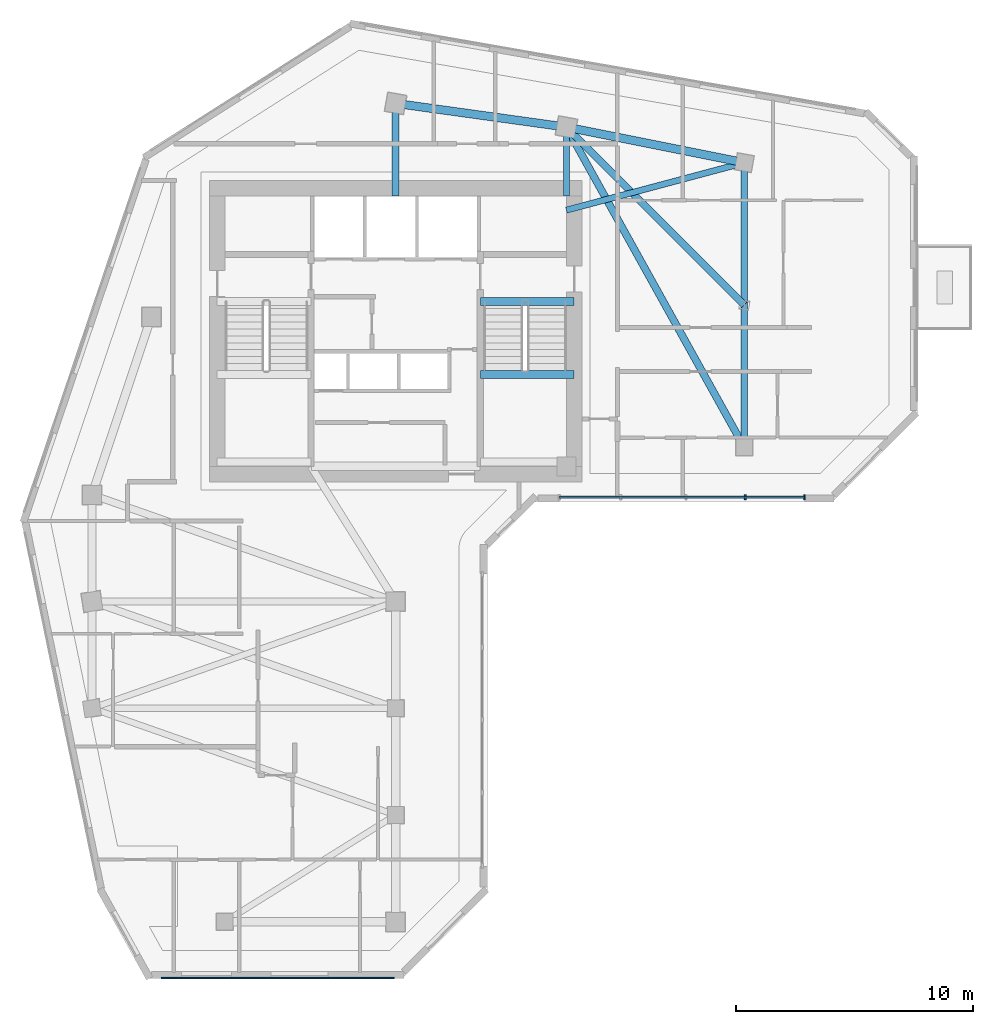
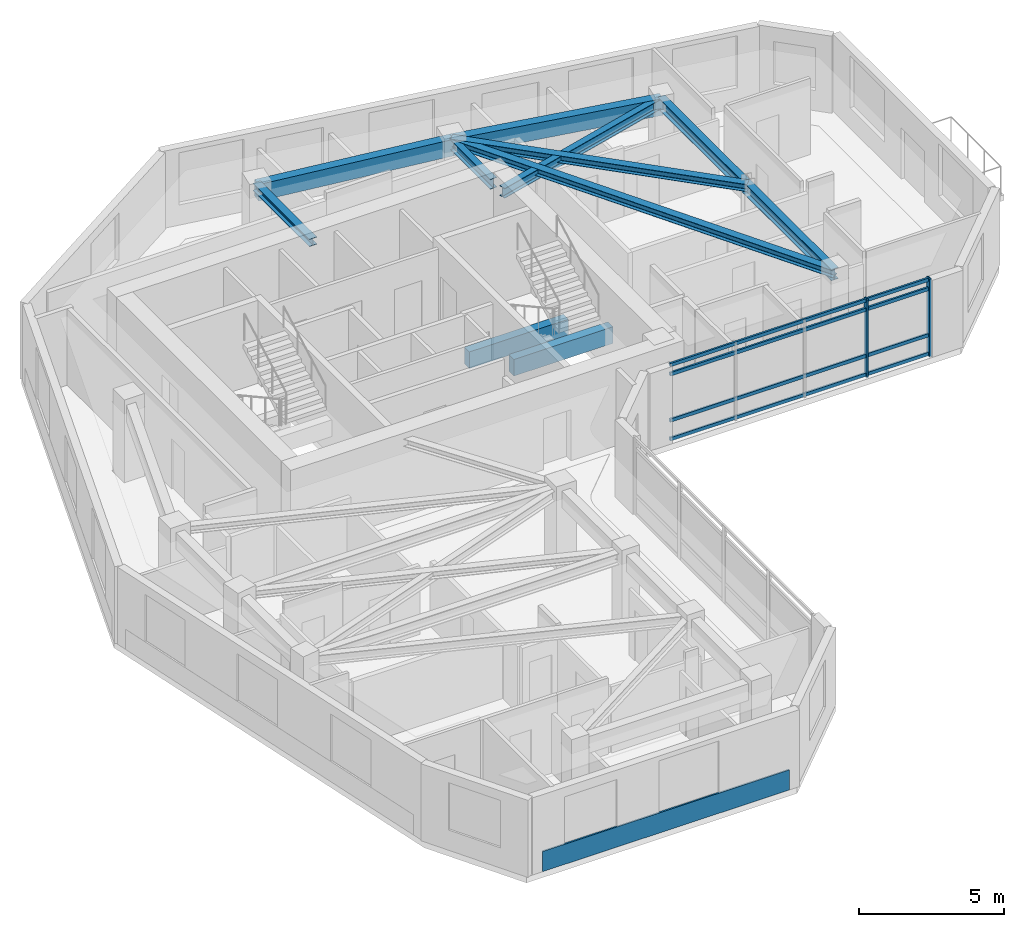
# One storey, part 2 of 10: 10 beams, 6 members, 1 plate, 1 element without a shape of its own.
"""IFC4 building model written with IfcOpenShell, lengths in metres."""

from ifc_helpers import new_model, si_unit, direction, frame, frame_2d, origin, origin_2d, place, context, subcontext, project, spatial, rectangle, i_section, extrude, source, transform, mapped, material, layer, layer_set, material_profile, profile_set, type_object, element, aggregate, save


model = new_model("IFC4")

# Units and contexts
model_context = context("Model", 3, precision=1e-05, world=origin(), true_north=direction((0.0, 1.0)))
body_context = subcontext(model_context, "Body", "Model", "MODEL_VIEW")
ifc_project = project(units=[si_unit("LENGTHUNIT", "METRE"), si_unit("AREAUNIT", "SQUARE_METRE"), si_unit("VOLUMEUNIT", "CUBIC_METRE"), si_unit("PLANEANGLEUNIT", "RADIAN"), si_unit("MASSUNIT", "GRAM", prefix="KILO")], contexts=[model_context])

# Site, building, storey
site_placement = place(None, origin())
site = spatial("IfcSite", under=ifc_project, at=site_placement, CompositionType="ELEMENT")
building_placement = place(site_placement, origin())
building = spatial("IfcBuilding", under=site, at=building_placement, Name="Calvemar Wedge Station Tower", CompositionType="ELEMENT")
storey_placement = place(building_placement, frame((0.0, 0.0, 221.89990234375)))
storey = spatial("IfcBuildingStorey", under=building, at=storey_placement, Name="L56", CompositionType="ELEMENT", Elevation=221.89990234375)

# Beams
ifc_material_1 = material(Name="Structural steel ASTM A572 Grade 50", Category="steel")
ifc_material_profile_1 = material_profile(ifc_material_1, i_section(OverallWidth=0.304931640625, OverallDepth=0.30810546875, WebThickness=0.010009765625, FlangeThickness=0.015380859375, FilletRadius=0.014892578125, at=origin_2d()), Name="W310x97")
ifc_profile_set_1 = profile_set([ifc_material_profile_1], Name="Structural steel ASTM A572 Grade 50")
beam_type_1 = type_object("IfcBeamType", Name="BM-J6-W310", PredefinedType="JOIST", material=ifc_profile_set_1)
shared_shape_1 = source(origin(), body_context, "Body", "SweptSolid", [
    extrude(i_section(OverallWidth=0.304931640625, OverallDepth=0.30810546875, WebThickness=0.010009765625, FlangeThickness=0.015380859375, FilletRadius=0.014892578125, at=origin_2d()), origin(), (0.0, 0.0, 1.0), 15.443359375),
])
beam_1_placement = place(storey_placement, frame((31.0, 48.5, 3.09619140625), z_axis=(0.485642931179, -0.874157276122, 0.0), x_axis=(0.874157276122, 0.485642931179, 0.0)))
element("IfcBeam", 1, at=beam_1_placement, inside=storey, type_object=beam_type_1, Name="Storey L56 Floor Beam T-N2-T-NL2", PredefinedType="JOIST", context=body_context, shape_type="MappedRepresentation", body=[
    mapped(shared_shape_1, transform((0.0, 0.0, 0.0), scale=1.0)),
])
ifc_material_profile_2 = material_profile(ifc_material_1, i_section(OverallWidth=0.260986328125, OverallDepth=0.419921875, WebThickness=0.01171875, FlangeThickness=0.019287109375, FilletRadius=0.012939453125, at=origin_2d()), Name="W410x114")
ifc_profile_set_2 = profile_set([ifc_material_profile_2], Name="Structural steel ASTM A572 Grade 50")
beam_type_2 = type_object("IfcBeamType", Name="BM-J2-W410H", PredefinedType="JOIST", material=ifc_profile_set_2)
shared_shape_2 = source(origin(), body_context, "Body", "SweptSolid", [
    extrude(i_section(OverallWidth=0.260986328125, OverallDepth=0.419921875, WebThickness=0.01171875, FlangeThickness=0.019287109375, FilletRadius=0.012939453125, at=origin_2d()), origin(), (0.0, 0.0, 1.0), 7.76220703125),
])
beam_2_placement = place(storey_placement, frame((31.0, 45.0, 3.0400390625), z_axis=(0.966234939601, 0.25766265056, 0.0), x_axis=(-0.25766265056, 0.966234939601, 0.0)))
element("IfcBeam", 2, at=beam_2_placement, inside=storey, type_object=beam_type_2, Name="Storey L56 Core-to-Column Joist CJ-E2", PredefinedType="JOIST", context=body_context, shape_type="MappedRepresentation", body=[
    mapped(shared_shape_2, transform((0.0, 0.0, 0.0), scale=1.0)),
])
shared_shape_3 = source(origin(), body_context, "Body", "SweptSolid", [
    extrude(i_section(OverallWidth=0.304931640625, OverallDepth=0.30810546875, WebThickness=0.010009765625, FlangeThickness=0.015380859375, FilletRadius=0.014892578125, at=origin_2d()), origin(), (0.0, 0.0, 1.0), 3.89990234375),
])
beam_3_placement = place(storey_placement, frame((23.800048828125, 45.60009765625, 3.09619140625), z_axis=(0.0, 1.0, 0.0), x_axis=(-1.0, 0.0, 0.0)))
element("IfcBeam", 3, at=beam_3_placement, inside=storey, type_object=beam_type_1, Name="Storey L56 Core-to-Column Joist CJ-N1", PredefinedType="JOIST", context=body_context, shape_type="MappedRepresentation", body=[
    mapped(shared_shape_3, transform((0.0, 0.0, 0.0), scale=1.0)),
])
shared_shape_4 = source(origin(), body_context, "Body", "SweptSolid", [
    extrude(i_section(OverallWidth=0.260986328125, OverallDepth=0.419921875, WebThickness=0.01171875, FlangeThickness=0.019287109375, FilletRadius=0.012939453125, at=origin_2d()), origin(), (0.0, 0.0, 1.0), 2.89990234375),
])
beam_4_placement = place(storey_placement, frame((31.0, 45.60009765625, 3.0400390625), z_axis=(0.0, 1.0, 0.0), x_axis=(-1.0, 0.0, 0.0)))
element("IfcBeam", 4, at=beam_4_placement, inside=storey, type_object=beam_type_2, Name="Storey L56 Core-to-Column Joist CJ-N2", PredefinedType="JOIST", context=body_context, shape_type="MappedRepresentation", body=[
    mapped(shared_shape_4, transform((0.0, 0.0, 0.0), scale=1.0)),
])
shared_shape_5 = source(origin(), body_context, "Body", "SweptSolid", [
    extrude(i_section(OverallWidth=0.304931640625, OverallDepth=0.30810546875, WebThickness=0.010009765625, FlangeThickness=0.015380859375, FilletRadius=0.014892578125, at=origin_2d()), origin(), (0.0, 0.0, 1.0), 10.606689453125),
])
beam_5_placement = place(storey_placement, frame((38.5, 41.0, 3.09619140625), z_axis=(-0.707106781187, 0.707106781187, 0.0), x_axis=(-0.707106781187, -0.707106781187, 0.0)))
element("IfcBeam", 5, at=beam_5_placement, inside=storey, type_object=beam_type_1, Name="Storey L56 Floor Beam T-NTIP-B-T-N2", PredefinedType="JOIST", context=body_context, shape_type="MappedRepresentation", body=[
    mapped(shared_shape_5, transform((0.0, 0.0, 0.0), scale=1.0)),
])
ifc_material_2 = material(Name="Concrete C70", Category="concrete")
ifc_material_profile_3 = material_profile(ifc_material_2, rectangle(XDim=0.35009765625, YDim=0.699951171875, at=origin_2d()), Name="RC350x700")
ifc_profile_set_3 = profile_set([ifc_material_profile_3], Name="Concrete C70")
beam_type_3 = type_object("IfcBeamType", Name="BM-LN1-700", PredefinedType="LINTEL", material=ifc_profile_set_3)
shared_shape_6 = source(origin(), body_context, "Body", "SweptSolid", [
    extrude(rectangle(XDim=0.35009765625, YDim=0.699951171875, at=origin_2d()), origin(), (0.0, 0.0, 1.0), 3.954833984375),
])
for number, where, z_axis, x_axis, name in (
    (6, (27.3701171875, 41.14990234375, -0.349853515625), (1.0, 0.0, 0.0), (0.0, 1.0, 0.0), "Storey L56 Stair ST-C2 Landing Trimmer Beam"),
    (7, (27.3701171875, 38.070068359375, 1.2001953125), (1.0, 0.0, 0.0), (0.0, 1.0, 0.0), "Storey L56 Stair ST-C2 Half-Landing Beam 1B"),
):
    element("IfcBeam", number, at=place(storey_placement, frame(where, z_axis=z_axis, x_axis=x_axis)), inside=storey, type_object=beam_type_3, Name=name, PredefinedType="LINTEL", context=body_context, shape_type="MappedRepresentation", body=[
        mapped(shared_shape_6, transform((0.0, 0.0, 0.0), scale=1.0)),
    ])
ifc_material_3 = material(Name="Concrete C50", Category="concrete")
ifc_material_profile_4 = material_profile(ifc_material_3, rectangle(XDim=0.35009765625, YDim=0.699951171875, at=origin_2d()), Name="RC350x700")
ifc_profile_set_4 = profile_set([ifc_material_profile_4], Name="Concrete C50")
beam_type_4 = type_object("IfcBeamType", Name="BM-SP2-700", PredefinedType="SPANDREL", material=ifc_profile_set_4)
shared_shape_7 = source(origin(), body_context, "Body", "SweptSolid", [
    extrude(rectangle(XDim=0.35009765625, YDim=0.699951171875, at=origin_2d()), origin(), (0.0, 0.0, 1.0), 7.26904296875),
])
beam_6_placement = place(storey_placement, frame((23.800048828125, 49.5, 2.900146484375), z_axis=(0.990492146053, -0.13756928657, 0.0), x_axis=(0.13756928657, 0.990492146053, 0.0)))
element("IfcBeam", 8, at=beam_6_placement, inside=storey, type_object=beam_type_4, Name="Storey L56 Spandrel T-N1-T-N2", PredefinedType="SPANDREL", context=body_context, shape_type="MappedRepresentation", body=[
    mapped(shared_shape_7, transform((0.0, 0.0, 0.0), scale=1.0)),
])
shared_shape_8 = source(origin(), body_context, "Body", "SweptSolid", [
    extrude(rectangle(XDim=0.35009765625, YDim=0.699951171875, at=origin_2d()), origin(), (0.0, 0.0, 1.0), 7.6484375),
])
beam_7_placement = place(storey_placement, frame((31.0, 48.5, 2.900146484375), z_axis=(0.980580675691, -0.196116135138, 0.0), x_axis=(0.196116135138, 0.980580675691, 0.0)))
element("IfcBeam", 9, at=beam_7_placement, inside=storey, type_object=beam_type_4, Name="Storey L56 Spandrel T-N2-T-NU3", PredefinedType="SPANDREL", context=body_context, shape_type="MappedRepresentation", body=[
    mapped(shared_shape_8, transform((0.0, 0.0, 0.0), scale=1.0)),
])
ifc_material_profile_5 = material_profile(ifc_material_1, i_section(OverallWidth=0.283935546875, OverallDepth=0.47607421875, WebThickness=0.014892578125, FlangeThickness=0.02392578125, FilletRadius=0.014892578125, at=origin_2d()), Name="W460x158")
ifc_profile_set_5 = profile_set([ifc_material_profile_5], Name="Structural steel ASTM A572 Grade 50")
beam_type_5 = type_object("IfcBeamType", Name="BM-SB5-W460H", PredefinedType="BEAM", material=ifc_profile_set_5)
shared_shape_9 = source(origin(), body_context, "Body", "SweptSolid", [
    extrude(i_section(OverallWidth=0.283935546875, OverallDepth=0.47607421875, WebThickness=0.014892578125, FlangeThickness=0.02392578125, FilletRadius=0.014892578125, at=origin_2d()), origin(), (0.0, 0.0, 1.0), 12.0),
])
beam_8_placement = place(storey_placement, frame((38.5, 47.0, 3.01220703125), z_axis=(0.0, -1.0, 0.0), x_axis=(1.0, 0.0, 0.0)))
element("IfcBeam", 10, at=beam_8_placement, inside=storey, type_object=beam_type_5, Name="Storey L56 Floor Beam T-NU3-T-NL2", PredefinedType="BEAM", context=body_context, shape_type="MappedRepresentation", body=[
    mapped(shared_shape_9, transform((0.0, 0.0, 0.0), scale=1.0)),
])

# Curtain wall, members
ifc_material_4 = material(Name="Anodised aluminium 6063-T6", Category="aluminium")
curtain_wall_type = type_object("IfcCurtainWallType", Name="CW3", PredefinedType="NOTDEFINED", material=ifc_material_4)
curtain_wall_placement = place(storey_placement, origin())
curtain_wall = element("IfcCurtainWall", 11, at=curtain_wall_placement, inside=storey, type_object=curtain_wall_type, Name="Storey L56 CW3 Recessed Unitised Curtain Wall 6", PredefinedType="NOTDEFINED")
ifc_material_profile_6 = material_profile(ifc_material_4, rectangle(XDim=0.074951171875, YDim=0.2099609375, at=origin_2d()), Name="AL-MUL-75x210")
ifc_profile_set_6 = profile_set([ifc_material_profile_6], Name="Anodised aluminium 6063-T6")
member_type_1 = type_object("IfcMemberType", Name="CW3-MUL", PredefinedType="MULLION", material=ifc_profile_set_6)
shared_shape_10 = source(origin(), body_context, "Body", "SweptSolid", [
    extrude(rectangle(XDim=0.074951171875, YDim=0.2099609375, at=origin_2d()), origin(), (0.0, 0.0, 1.0), 3.2998046875),
])
member_1_placement = place(storey_placement, frame((38.5390625, 32.902099609375, -0.0498046875), z_axis=(0.0, 0.0, 1.0), x_axis=(1.0, 0.0, 0.0)))
member_1 = element("IfcMember", 12, at=member_1_placement, type_object=member_type_1, Name="CW3 mullion 4", PredefinedType="MULLION", context=body_context, shape_type="MappedRepresentation", body=[
    mapped(shared_shape_10, transform((0.0, 0.0, 0.0), scale=1.0)),
])
member_2_placement = place(storey_placement, frame((41.037841796875, 32.902099609375, -0.0498046875), z_axis=(0.0, 0.0, 1.0), x_axis=(1.0, 0.0, 0.0)))
member_2 = element("IfcMember", 13, at=member_2_placement, type_object=member_type_1, Name="CW3 mullion 5", PredefinedType="MULLION", context=body_context, shape_type="MappedRepresentation", body=[
    mapped(shared_shape_10, transform((0.0, 0.0, 0.0), scale=1.0)),
])
ifc_material_profile_7 = material_profile(ifc_material_4, rectangle(XDim=0.074951171875, YDim=0.14501953125, at=origin_2d()), Name="AL-TRN-75x145")
ifc_profile_set_7 = profile_set([ifc_material_profile_7], Name="Anodised aluminium 6063-T6")
member_type_2 = type_object("IfcMemberType", Name="CW3-TRN", PredefinedType="USERDEFINED", material=ifc_profile_set_7)
shared_shape_11 = source(origin(), body_context, "Body", "SweptSolid", [
    extrude(rectangle(XDim=0.074951171875, YDim=0.14501953125, at=origin_2d()), origin(), (0.0, 0.0, 1.0), 10.3359375),
])
member_3_placement = place(storey_placement, frame((30.701904296875, 32.902099609375, 0.06005859375), z_axis=(1.0, 0.0, 0.0), x_axis=(0.0, 1.0, 0.0)))
member_3 = element("IfcMember", 14, at=member_3_placement, type_object=member_type_2, Name="CW3 transom 1", ObjectType="TRANSOM", PredefinedType="USERDEFINED", context=body_context, shape_type="MappedRepresentation", body=[
    mapped(shared_shape_11, transform((0.0, 0.0, 0.0), scale=1.0)),
])
member_4_placement = place(storey_placement, frame((30.701904296875, 32.902099609375, 0.85009765625), z_axis=(1.0, 0.0, 0.0), x_axis=(0.0, 1.0, 0.0)))
member_4 = element("IfcMember", 15, at=member_4_placement, type_object=member_type_2, Name="CW3 transom 2", ObjectType="TRANSOM", PredefinedType="USERDEFINED", context=body_context, shape_type="MappedRepresentation", body=[
    mapped(shared_shape_11, transform((0.0, 0.0, 0.0), scale=1.0)),
])
member_5_placement = place(storey_placement, frame((30.701904296875, 32.902099609375, 2.800048828125), z_axis=(1.0, 0.0, 0.0), x_axis=(0.0, 1.0, 0.0)))
member_5 = element("IfcMember", 16, at=member_5_placement, type_object=member_type_2, Name="CW3 transom 3", ObjectType="TRANSOM", PredefinedType="USERDEFINED", context=body_context, shape_type="MappedRepresentation", body=[
    mapped(shared_shape_11, transform((0.0, 0.0, 0.0), scale=1.0)),
])
member_6_placement = place(storey_placement, frame((30.701904296875, 32.902099609375, 3.190185546875), z_axis=(1.0, 0.0, 0.0), x_axis=(0.0, 1.0, 0.0)))
member_6 = element("IfcMember", 17, at=member_6_placement, type_object=member_type_2, Name="CW3 transom 4", ObjectType="TRANSOM", PredefinedType="USERDEFINED", context=body_context, shape_type="MappedRepresentation", body=[
    mapped(shared_shape_11, transform((0.0, 0.0, 0.0), scale=1.0)),
])
aggregate(curtain_wall, [member_1, member_2, member_3, member_4, member_5, member_6])

# Plate
ifc_material_5 = material(Name="Precast concrete C45", Category="concrete")
ifc_layer = layer(ifc_material_5, 0.06494140625)
ifc_layer_set = layer_set([ifc_layer], Name="Precast concrete C45")
plate_type = type_object("IfcPlateType", Name="PL-GFRC-FIN", PredefinedType="USERDEFINED", material=ifc_layer_set)
plate_placement = place(storey_placement, frame((13.91015625, 12.6298828125, 0.0), z_axis=(0.0, 0.0, 1.0), x_axis=(1.0, 0.0, 0.0)))
element("IfcPlate", 18, at=plate_placement, inside=storey, type_object=plate_type, Name="Storey L56 Oxidized-Bronze GFRC Spandrel Cladding 2", ObjectType="CLADDING PANEL", PredefinedType="USERDEFINED", context=body_context, shape_type="SweptSolid", body=[
    extrude(rectangle(XDim=9.841796875, YDim=0.06494140625, at=frame_2d((4.9208984375, 0.0))), origin(), (0.0, 0.0, 1.0), 0.85009765625),
])

save(model, "model.ifc")
